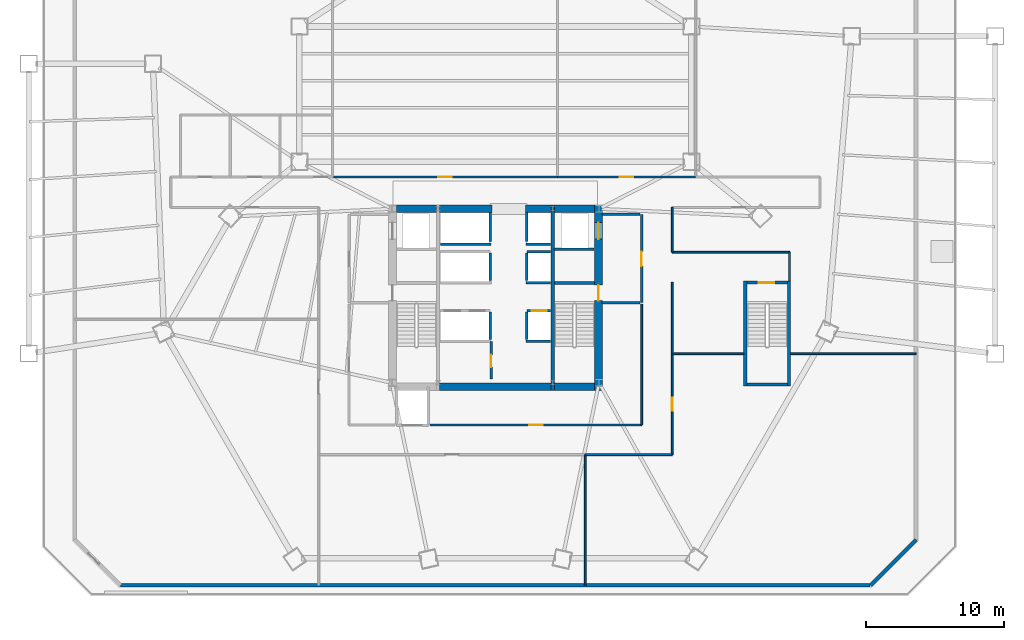
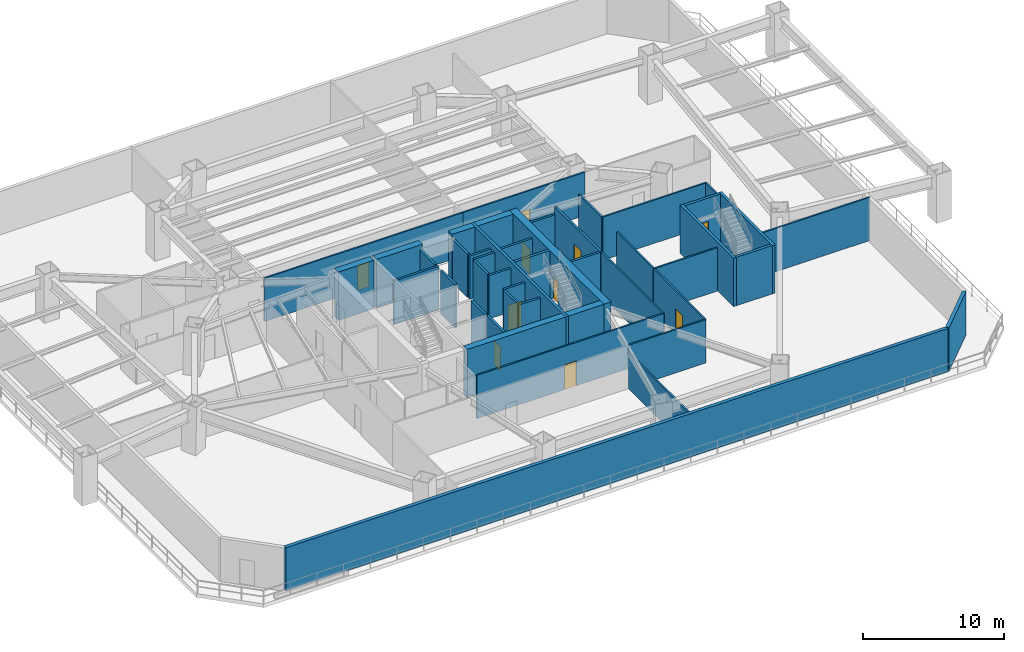
# One storey, part 6 of 12: 45 walls, 10 doors, 10 openings.
"""IFC4 building model written with IfcOpenShell, lengths in metres."""

from ifc_helpers import new_model, si_unit, direction, frame, frame_2d, origin, place, context, subcontext, project, spatial, rectangle, extrude, material, layer, layer_set, type_object, element, fill, save


model = new_model("IFC4")

# Units and contexts
model_context = context("Model", 3, precision=1e-05, world=origin(), true_north=direction((0.0, 1.0)))
body_context = subcontext(model_context, "Body", "Model", "MODEL_VIEW")
ifc_project = project(units=[si_unit("LENGTHUNIT", "METRE"), si_unit("AREAUNIT", "SQUARE_METRE"), si_unit("VOLUMEUNIT", "CUBIC_METRE"), si_unit("PLANEANGLEUNIT", "RADIAN"), si_unit("MASSUNIT", "GRAM", prefix="KILO")], contexts=[model_context])

# Site, building, storey
site_placement = place(None, origin())
site = spatial("IfcSite", under=ifc_project, at=site_placement, CompositionType="ELEMENT")
building_placement = place(site_placement, origin())
building = spatial("IfcBuilding", under=site, at=building_placement, Name="Caelisora Broadcast Tower", CompositionType="ELEMENT")
storey_placement = place(building_placement, frame((0.0, 0.0, 18.89990234375)))
storey = spatial("IfcBuildingStorey", under=building, at=storey_placement, Name="L04", CompositionType="ELEMENT", Elevation=18.89990234375)

# Wall, openings, doors
ifc_material_1 = material(Name="Concrete 65 MPa (AS 3600 S65)", Category="concrete")
ifc_layer_1 = layer(ifc_material_1, 0.60009765625, Name="Concrete 65 MPa (AS 3600 S65)")
ifc_layer_set_1 = layer_set([ifc_layer_1], Name="Concrete 65 MPa (AS 3600 S65)")
wall_type_1 = type_object("IfcWallType", Name="CW1", PredefinedType="SHEAR", material=ifc_layer_set_1)
wall_1_placement = place(storey_placement, frame((45.4599609375, 16.85009765625, 0.0), z_axis=(0.0, 0.0, 1.0), x_axis=(0.0, 1.0, 0.0)))
wall_1 = element("IfcWall", 1, at=wall_1_placement, inside=storey, type_object=wall_type_1, Name="L04 core shear wall CW1", PredefinedType="SHEAR", context=body_context, shape_type="SweptSolid", body=[
    extrude(rectangle(XDim=13.4248046875, YDim=0.60009765625, at=frame_2d((6.71240234375, 0.0))), origin(), (0.0, 0.0, 1.0), 4.2001953125),
])
opening_1_placement = place(wall_1_placement, frame((6.5, 0.0, 0.0)))
opening_1 = element("IfcOpeningElement", 2, at=opening_1_placement, cuts=wall_1, Name="Opening FD04", PredefinedType="OPENING", context=body_context, shape_type="SweptSolid", body=[
    extrude(rectangle(XDim=1.1201171875, YDim=2.14990234375, at=frame_2d((0.56005859375, 1.074951171875))), frame((0.0, 0.31201171875, 0.0), z_axis=(0.0, -1.0, 0.0), x_axis=(1.0, 0.0, 0.0)), (0.0, 0.0, 1.0), 0.6240234375),
])
opening_2_placement = place(wall_1_placement, frame((10.949951171875, 0.0, 0.0)))
opening_2 = element("IfcOpeningElement", 3, at=opening_2_placement, cuts=wall_1, Name="Opening LD04", PredefinedType="OPENING", context=body_context, shape_type="SweptSolid", body=[
    extrude(rectangle(XDim=1.199951171875, YDim=2.199951171875, at=frame_2d((0.60009765625, 1.10009765625))), frame((0.0, 0.31201171875, 0.0), z_axis=(0.0, -1.0, 0.0), x_axis=(1.0, 0.0, 0.0)), (0.0, 0.0, 1.0), 0.6240234375),
])
ifc_material_2 = material(Name="Pressurised Fire-Isolated Stair Door", Category="steel")
door_type_1 = type_object("IfcDoorType", Name="FD04", OperationType="NOTDEFINED", PredefinedType="DOOR", material=ifc_material_2)
door_1_placement = place(opening_1_placement, origin())
door_1 = element("IfcDoor", 4, at=door_1_placement, inside=storey, type_object=door_type_1, Name="L04 door FD04 (L04-DR-ST2)", OperationType="SINGLE_SWING_RIGHT", OverallHeight=2.14990234375, OverallWidth=1.1201171875, PredefinedType="DOOR", context=body_context, shape_type="SweptSolid", body=[
    extrude(rectangle(XDim=1.1201171875, YDim=2.14990234375, at=frame_2d((0.56005859375, 1.074951171875))), frame((0.0, 0.02490234375, 0.0), z_axis=(0.0, -1.0, 0.0), x_axis=(1.0, 0.0, 0.0)), (0.0, 0.0, 1.0), 0.050048828125),
])
fill(opening_1, door_1)
ifc_material_3 = material(Name="Emergency Firefighting Lift Sliding Landing Door", Category="steel")
door_type_2 = type_object("IfcDoorType", Name="LD04", OperationType="NOTDEFINED", PredefinedType="DOOR", material=ifc_material_3)
door_2_placement = place(opening_2_placement, origin())
door_2 = element("IfcDoor", 5, at=door_2_placement, inside=storey, type_object=door_type_2, Name="L04 door LD04 (L04-LD-FFL2)", OperationType="SLIDING_TO_RIGHT", OverallHeight=2.199951171875, OverallWidth=1.199951171875, PredefinedType="DOOR", context=body_context, shape_type="SweptSolid", body=[
    extrude(rectangle(XDim=1.199951171875, YDim=2.199951171875, at=frame_2d((0.60009765625, 1.10009765625))), frame((0.0, 0.02490234375, 0.0), z_axis=(0.0, -1.0, 0.0), x_axis=(1.0, 0.0, 0.0)), (0.0, 0.0, 1.0), 0.050048828125),
])
fill(opening_2, door_2)

# Walls
ifc_layer_2 = layer(ifc_material_1, 0.550048828125, Name="Concrete 65 MPa (AS 3600 S65)")
ifc_layer_set_2 = layer_set([ifc_layer_2], Name="Concrete 65 MPa (AS 3600 S65)")
wall_type_2 = type_object("IfcWallType", Name="CW4", PredefinedType="SHEAR", material=ifc_layer_set_2)
wall_2_placement = place(storey_placement, frame((33.9599609375, 17.125, 0.0), z_axis=(0.0, 0.0, 1.0), x_axis=(1.0, 0.0, 0.0)))
element("IfcWall", 6, at=wall_2_placement, inside=storey, type_object=wall_type_2, Name="L04 core shear wall CW4", PredefinedType="SHEAR", context=body_context, shape_type="SweptSolid", body=[
    extrude(rectangle(XDim=8.080078125, YDim=0.550048828125, at=frame_2d((4.0400390625, 0.0))), origin(), (0.0, 0.0, 1.0), 4.2001953125),
])
for number, where, z_axis, x_axis, name in (
    (7, (42.260009765625, 17.125, 0.0), (0.0, 0.0, 1.0), (1.0, 0.0, 0.0), "L04 core shear wall CW4"),
    (8, (30.840087890625, 30.0, 0.0), (0.0, 0.0, 1.0), (1.0, 0.0, 0.0), "L04 core shear wall CW4"),
):
    element("IfcWall", number, at=place(storey_placement, frame(where, z_axis=z_axis, x_axis=x_axis)), inside=storey, type_object=wall_type_2, Name=name, PredefinedType="SHEAR", context=body_context, shape_type="SweptSolid", body=[
        extrude(rectangle(XDim=2.89990234375, YDim=0.550048828125, at=frame_2d((1.449951171875, 0.0))), origin(), (0.0, 0.0, 1.0), 4.2001953125),
    ])
wall_3_placement = place(storey_placement, frame((33.9599609375, 30.0, 0.0), z_axis=(0.0, 0.0, 1.0), x_axis=(1.0, 0.0, 0.0)))
element("IfcWall", 9, at=wall_3_placement, inside=storey, type_object=wall_type_2, Name="L04 core shear wall CW4", PredefinedType="SHEAR", context=body_context, shape_type="SweptSolid", body=[
    extrude(rectangle(XDim=3.780029296875, YDim=0.550048828125, at=frame_2d((1.89013671875, 0.0))), origin(), (0.0, 0.0, 1.0), 4.2001953125),
])
wall_4_placement = place(storey_placement, frame((40.159912109375, 30.0, 0.0), z_axis=(0.0, 0.0, 1.0), x_axis=(1.0, 0.0, 0.0)))
element("IfcWall", 10, at=wall_4_placement, inside=storey, type_object=wall_type_2, Name="L04 core shear wall CW4", PredefinedType="SHEAR", context=body_context, shape_type="SweptSolid", body=[
    extrude(rectangle(XDim=1.880126953125, YDim=0.550048828125, at=frame_2d((0.93994140625, 0.0))), origin(), (0.0, 0.0, 1.0), 4.2001953125),
])
wall_5_placement = place(storey_placement, frame((42.260009765625, 30.0, 0.0), z_axis=(0.0, 0.0, 1.0), x_axis=(1.0, 0.0, 0.0)))
element("IfcWall", 11, at=wall_5_placement, inside=storey, type_object=wall_type_2, Name="L04 core shear wall CW4", PredefinedType="SHEAR", context=body_context, shape_type="SweptSolid", body=[
    extrude(rectangle(XDim=2.89990234375, YDim=0.550048828125, at=frame_2d((1.449951171875, 0.0))), origin(), (0.0, 0.0, 1.0), 4.2001953125),
])
ifc_material_4 = material(Name="Concrete 50 MPa (AS 3600 S50)", Category="concrete")
ifc_layer_3 = layer(ifc_material_4, 0.219970703125, Name="Concrete 50 MPa (AS 3600 S50)")
ifc_layer_set_3 = layer_set([ifc_layer_3], Name="Concrete 50 MPa (AS 3600 S50)")
wall_type_3 = type_object("IfcWallType", Name="CW7", PredefinedType="SHEAR", material=ifc_layer_set_3)
wall_6_placement = place(storey_placement, frame((42.14990234375, 16.85009765625, 0.0), z_axis=(0.0, 0.0, 1.0), x_axis=(0.0, 1.0, 0.0)))
element("IfcWall", 12, at=wall_6_placement, inside=storey, type_object=wall_type_3, Name="L04 core shear wall CW7", PredefinedType="SHEAR", context=body_context, shape_type="SweptSolid", body=[
    extrude(rectangle(XDim=13.4248046875, YDim=0.219970703125, at=frame_2d((6.71240234375, 0.0))), origin(), (0.0, 0.0, 1.0), 4.2001953125),
])
wall_7_placement = place(storey_placement, frame((42.260009765625, 24.639892578125, 0.0), z_axis=(0.0, 0.0, 1.0), x_axis=(1.0, 0.0, 0.0)))
element("IfcWall", 13, at=wall_7_placement, inside=storey, type_object=wall_type_3, Name="L04 core shear wall CW7", PredefinedType="SHEAR", context=body_context, shape_type="SweptSolid", body=[
    extrude(rectangle(XDim=2.89990234375, YDim=0.219970703125, at=frame_2d((1.449951171875, 0.0))), origin(), (0.0, 0.0, 1.0), 4.2001953125),
])
for number, where, z_axis, x_axis, name in (
    (14, (56.090087890625, 17.179931640625, 0.0), (0.0, 0.0, 1.0), (0.0, 1.0, 0.0), "L04 core shear wall CW7"),
    (15, (59.27001953125, 17.179931640625, 0.0), (0.0, 0.0, 1.0), (0.0, 1.0, 0.0), "L04 core shear wall CW7"),
):
    element("IfcWall", number, at=place(storey_placement, frame(where, z_axis=z_axis, x_axis=x_axis)), inside=storey, type_object=wall_type_3, Name=name, PredefinedType="SHEAR", context=body_context, shape_type="SweptSolid", body=[
        extrude(rectangle(XDim=7.580078125, YDim=0.219970703125, at=frame_2d((3.7900390625, 0.0))), origin(), (0.0, 0.0, 1.0), 4.2001953125),
    ])
wall_8_placement = place(storey_placement, frame((56.199951171875, 17.2900390625, 0.0), z_axis=(0.0, 0.0, 1.0), x_axis=(1.0, 0.0, 0.0)))
element("IfcWall", 16, at=wall_8_placement, inside=storey, type_object=wall_type_3, Name="L04 core shear wall CW7", PredefinedType="SHEAR", context=body_context, shape_type="SweptSolid", body=[
    extrude(rectangle(XDim=2.9599609375, YDim=0.219970703125, at=frame_2d((1.47998046875, 0.0))), origin(), (0.0, 0.0, 1.0), 4.2001953125),
])

# Wall, opening, door
wall_9_placement = place(storey_placement, frame((56.199951171875, 24.64990234375, 0.0), z_axis=(0.0, 0.0, 1.0), x_axis=(1.0, 0.0, 0.0)))
wall_9 = element("IfcWall", 17, at=wall_9_placement, inside=storey, type_object=wall_type_3, Name="L04 core shear wall CW7", PredefinedType="SHEAR", context=body_context, shape_type="SweptSolid", body=[
    extrude(rectangle(XDim=2.9599609375, YDim=0.219970703125, at=frame_2d((1.47998046875, 0.0))), origin(), (0.0, 0.0, 1.0), 4.2001953125),
])
opening_3_placement = place(wall_9_placement, frame((0.8701171875, 0.0, 0.0)))
opening_3 = element("IfcOpeningElement", 18, at=opening_3_placement, cuts=wall_9, Name="Opening FD04", PredefinedType="OPENING", context=body_context, shape_type="SweptSolid", body=[
    extrude(rectangle(XDim=1.1201171875, YDim=2.14990234375, at=frame_2d((0.56005859375, 1.074951171875))), frame((0.0, 0.1220703125, 0.0), z_axis=(0.0, -1.0, 0.0), x_axis=(1.0, 0.0, 0.0)), (0.0, 0.0, 1.0), 0.243896484375),
])
door_3_placement = place(opening_3_placement, origin())
door_3 = element("IfcDoor", 19, at=door_3_placement, inside=storey, type_object=door_type_1, Name="L04 door FD04 (L04-DR-ST3)", OperationType="SINGLE_SWING_LEFT", OverallHeight=2.14990234375, OverallWidth=1.1201171875, PredefinedType="DOOR", context=body_context, shape_type="SweptSolid", body=[
    extrude(rectangle(XDim=1.1201171875, YDim=2.14990234375, at=frame_2d((0.56005859375, 1.074951171875))), frame((0.0, 0.02490234375, 0.0), z_axis=(0.0, -1.0, 0.0), x_axis=(1.0, 0.0, 0.0)), (0.0, 0.0, 1.0), 0.050048828125),
])
fill(opening_3, door_3)

# Walls
ifc_material_5 = material(Name="Insulated Terracotta Spandrel Wall System", Category="masonry")
ifc_layer_4 = layer(ifc_material_5, 0.280029296875, Name="Insulated Terracotta Spandrel Wall System")
ifc_layer_set_4 = layer_set([ifc_layer_4], Name="Insulated Terracotta Spandrel Wall System")
wall_type_4 = type_object("IfcWallType", Name="EW1", PredefinedType="STANDARD", material=ifc_layer_set_4)
wall_10_placement = place(storey_placement, frame((68.4599609375, 6.041015625, 0.0), z_axis=(0.0, 0.0, 1.0), x_axis=(-0.707106781187, -0.707106781187, 0.0)))
element("IfcWall", 20, at=wall_10_placement, inside=storey, type_object=wall_type_4, Name="L04 exterior envelope wall EW1", PredefinedType="STANDARD", context=body_context, shape_type="SweptSolid", body=[
    extrude(rectangle(XDim=4.66845703125, YDim=0.280029296875, at=frame_2d((2.334228515625, 0.0))), origin(), (0.0, 0.0, 1.0), 3.75),
])
wall_11_placement = place(storey_placement, frame((65.138916015625, 2.739990234375, 0.0), z_axis=(0.0, 0.0, 1.0), x_axis=(-1.0, 0.0, 0.0)))
element("IfcWall", 21, at=wall_11_placement, inside=storey, type_object=wall_type_4, Name="L04 exterior envelope wall EW1", PredefinedType="STANDARD", context=body_context, shape_type="SweptSolid", body=[
    extrude(rectangle(XDim=54.27783203125, YDim=0.280029296875, at=frame_2d((27.138916015625, 0.0))), origin(), (0.0, 0.0, 1.0), 3.75),
])

# Wall, opening, door
ifc_material_6 = material(Name="Fire-Rated Gypsum Shaft and Compartment Wall", Category="gypsum")
ifc_layer_5 = layer(ifc_material_6, 0.179931640625, Name="Fire-Rated Gypsum Shaft and Compartment Wall")
ifc_layer_set_5 = layer_set([ifc_layer_5], Name="Fire-Rated Gypsum Shaft and Compartment Wall")
wall_type_5 = type_object("IfcWallType", Name="PW2", PredefinedType="PARTITIONING", material=ifc_layer_set_5)
wall_12_placement = place(storey_placement, frame((40.280029296875, 22.6201171875, 0.0), z_axis=(0.0, 0.0, 1.0), x_axis=(1.0, 0.0, 0.0)))
wall_12 = element("IfcWall", 22, at=wall_12_placement, inside=storey, type_object=wall_type_5, Name="L04 fire compartment wall PW2", PredefinedType="PARTITIONING", context=body_context, shape_type="SweptSolid", body=[
    extrude(rectangle(XDim=1.699951171875, YDim=0.179931640625, at=frame_2d((0.85009765625, 0.0))), origin(), (0.0, 0.0, 1.0), 3.75),
])
opening_4_placement = place(wall_12_placement, frame((0.35009765625, 0.0, 0.0)))
opening_4 = element("IfcOpeningElement", 23, at=opening_4_placement, cuts=wall_12, Name="Opening LD01", PredefinedType="OPENING", context=body_context, shape_type="SweptSolid", body=[
    extrude(rectangle(XDim=1.10009765625, YDim=2.199951171875, at=frame_2d((0.550048828125, 1.10009765625))), frame((0.0, 0.10205078125, 0.0), z_axis=(0.0, -1.0, 0.0), x_axis=(1.0, 0.0, 0.0)), (0.0, 0.0, 1.0), 0.203857421875),
])
ifc_material_7 = material(Name="Stainless Steel Centre-Parting Lift Landing Door", Category="steel")
door_type_3 = type_object("IfcDoorType", Name="LD01", OperationType="NOTDEFINED", PredefinedType="DOOR", material=ifc_material_7)
door_4_placement = place(opening_4_placement, origin())
door_4 = element("IfcDoor", 24, at=door_4_placement, inside=storey, type_object=door_type_3, Name="L04 door LD01 (L04-LD-PLL3)", OperationType="SLIDING_TO_LEFT", OverallHeight=2.199951171875, OverallWidth=1.10009765625, PredefinedType="DOOR", context=body_context, shape_type="SweptSolid", body=[
    extrude(rectangle(XDim=1.10009765625, YDim=2.199951171875, at=frame_2d((0.550048828125, 1.10009765625))), frame((0.0, 0.02490234375, 0.0), z_axis=(0.0, -1.0, 0.0), x_axis=(1.0, 0.0, 0.0)), (0.0, 0.0, 1.0), 0.050048828125),
])
fill(opening_4, door_4)

# Walls
for number, where, z_axis, x_axis, name in (
    (25, (37.6201171875, 20.52001953125, 0.0), (0.0, 0.0, 1.0), (0.0, 1.0, 0.0), "L04 fire compartment wall PW2"),
    (26, (40.280029296875, 20.52001953125, 0.0), (0.0, 0.0, 1.0), (0.0, 1.0, 0.0), "L04 fire compartment wall PW2"),
):
    element("IfcWall", number, at=place(storey_placement, frame(where, z_axis=z_axis, x_axis=x_axis)), inside=storey, type_object=wall_type_5, Name=name, PredefinedType="PARTITIONING", context=body_context, shape_type="SweptSolid", body=[
        extrude(rectangle(XDim=2.0, YDim=0.179931640625, at=frame_2d((1.0, 0.0))), origin(), (0.0, 0.0, 1.0), 3.75),
    ])
wall_13_placement = place(storey_placement, frame((40.280029296875, 26.89990234375, 0.0), z_axis=(0.0, 0.0, 1.0), x_axis=(1.0, 0.0, 0.0)))
element("IfcWall", 27, at=wall_13_placement, inside=storey, type_object=wall_type_5, Name="L04 fire compartment wall PW2", PredefinedType="PARTITIONING", context=body_context, shape_type="SweptSolid", body=[
    extrude(rectangle(XDim=1.699951171875, YDim=0.179931640625, at=frame_2d((0.85009765625, 0.0))), origin(), (0.0, 0.0, 1.0), 3.75),
])
for number, where, z_axis, x_axis, name in (
    (28, (37.6201171875, 24.800048828125, 0.0), (0.0, 0.0, 1.0), (0.0, 1.0, 0.0), "L04 fire compartment wall PW2"),
    (29, (40.280029296875, 24.800048828125, 0.0), (0.0, 0.0, 1.0), (0.0, 1.0, 0.0), "L04 fire compartment wall PW2"),
):
    element("IfcWall", number, at=place(storey_placement, frame(where, z_axis=z_axis, x_axis=x_axis)), inside=storey, type_object=wall_type_5, Name=name, PredefinedType="PARTITIONING", context=body_context, shape_type="SweptSolid", body=[
        extrude(rectangle(XDim=2.0, YDim=0.179931640625, at=frame_2d((1.0, 0.0))), origin(), (0.0, 0.0, 1.0), 3.75),
    ])
wall_14_placement = place(storey_placement, frame((40.199951171875, 24.639892578125, 0.0), z_axis=(0.0, 0.0, 1.0), x_axis=(1.0, 0.0, 0.0)))
element("IfcWall", 30, at=wall_14_placement, inside=storey, type_object=wall_type_5, Name="L04 fire compartment wall PW2", PredefinedType="PARTITIONING", context=body_context, shape_type="SweptSolid", body=[
    extrude(rectangle(XDim=1.780029296875, YDim=0.179931640625, at=frame_2d((0.89013671875, 0.0))), origin(), (0.0, 0.0, 1.0), 3.75),
])
wall_15_placement = place(storey_placement, frame((34.02001953125, 27.419921875, 0.0), z_axis=(0.0, 0.0, 1.0), x_axis=(1.0, 0.0, 0.0)))
element("IfcWall", 31, at=wall_15_placement, inside=storey, type_object=wall_type_5, Name="L04 fire compartment wall PW2", PredefinedType="PARTITIONING", context=body_context, shape_type="SweptSolid", body=[
    extrude(rectangle(XDim=3.659912109375, YDim=0.179931640625, at=frame_2d((1.830078125, 0.0))), origin(), (0.0, 0.0, 1.0), 3.75),
])
wall_16_placement = place(storey_placement, frame((40.219970703125, 27.419921875, 0.0), z_axis=(0.0, 0.0, 1.0), x_axis=(1.0, 0.0, 0.0)))
element("IfcWall", 32, at=wall_16_placement, inside=storey, type_object=wall_type_5, Name="L04 fire compartment wall PW2", PredefinedType="PARTITIONING", context=body_context, shape_type="SweptSolid", body=[
    extrude(rectangle(XDim=1.760009765625, YDim=0.179931640625, at=frame_2d((0.8798828125, 0.0))), origin(), (0.0, 0.0, 1.0), 3.75),
])
for number, where, z_axis, x_axis, name in (
    (33, (37.6201171875, 27.639892578125, 0.0), (0.0, 0.0, 1.0), (0.0, 1.0, 0.0), "L04 fire compartment wall PW2"),
    (34, (40.280029296875, 27.639892578125, 0.0), (0.0, 0.0, 1.0), (0.0, 1.0, 0.0), "L04 fire compartment wall PW2"),
):
    element("IfcWall", number, at=place(storey_placement, frame(where, z_axis=z_axis, x_axis=x_axis)), inside=storey, type_object=wall_type_5, Name=name, PredefinedType="PARTITIONING", context=body_context, shape_type="SweptSolid", body=[
        extrude(rectangle(XDim=2.110107421875, YDim=0.179931640625, at=frame_2d((1.05517578125, 0.0))), origin(), (0.0, 0.0, 1.0), 3.75),
    ])

# Wall, opening, door
wall_17_placement = place(storey_placement, frame((48.580078125, 23.199951171875, 0.0), z_axis=(0.0, 0.0, 1.0), x_axis=(0.0, 1.0, 0.0)))
wall_17 = element("IfcWall", 35, at=wall_17_placement, inside=storey, type_object=wall_type_5, Name="L04 fire compartment wall PW2", PredefinedType="PARTITIONING", context=body_context, shape_type="SweptSolid", body=[
    extrude(rectangle(XDim=6.400146484375, YDim=0.179931640625, at=frame_2d((3.2001953125, 0.0))), origin(), (0.0, 0.0, 1.0), 3.75),
])
opening_5_placement = place(wall_17_placement, frame((2.64990234375, 0.0, 0.0)))
opening_5 = element("IfcOpeningElement", 36, at=opening_5_placement, cuts=wall_17, Name="Opening FD02", PredefinedType="OPENING", context=body_context, shape_type="SweptSolid", body=[
    extrude(rectangle(XDim=1.050048828125, YDim=2.14990234375, at=frame_2d((0.52490234375, 1.074951171875))), frame((0.0, 0.10205078125, 0.0), z_axis=(0.0, -1.0, 0.0), x_axis=(1.0, 0.0, 0.0)), (0.0, 0.0, 1.0), 0.203857421875),
])
ifc_material_8 = material(Name="Single-Leaf Steel Fire Lobby Door", Category="steel")
door_type_4 = type_object("IfcDoorType", Name="FD02", OperationType="NOTDEFINED", PredefinedType="DOOR", material=ifc_material_8)
door_5_placement = place(opening_5_placement, origin())
door_5 = element("IfcDoor", 37, at=door_5_placement, inside=storey, type_object=door_type_4, Name="L04 door FD02 (L04-DR-P04D1)", OperationType="SINGLE_SWING_RIGHT", OverallHeight=2.14990234375, OverallWidth=1.050048828125, PredefinedType="DOOR", context=body_context, shape_type="SweptSolid", body=[
    extrude(rectangle(XDim=1.050048828125, YDim=2.14990234375, at=frame_2d((0.52490234375, 1.074951171875))), frame((0.0, 0.02490234375, 0.0), z_axis=(0.0, -1.0, 0.0), x_axis=(1.0, 0.0, 0.0)), (0.0, 0.0, 1.0), 0.050048828125),
])
fill(opening_5, door_5)

# Walls
wall_18_placement = place(storey_placement, frame((45.719970703125, 23.199951171875, 0.0), z_axis=(0.0, 0.0, 1.0), x_axis=(1.0, 0.0, 0.0)))
element("IfcWall", 38, at=wall_18_placement, inside=storey, type_object=wall_type_5, Name="L04 fire compartment wall PW2", PredefinedType="PARTITIONING", context=body_context, shape_type="SweptSolid", body=[
    extrude(rectangle(XDim=2.760009765625, YDim=0.179931640625, at=frame_2d((1.3798828125, 0.0))), origin(), (0.0, 0.0, 1.0), 3.75),
])
wall_19_placement = place(storey_placement, frame((45.719970703125, 29.60009765625, 0.0), z_axis=(0.0, 0.0, 1.0), x_axis=(1.0, 0.0, 0.0)))
element("IfcWall", 39, at=wall_19_placement, inside=storey, type_object=wall_type_5, Name="L04 fire compartment wall PW2", PredefinedType="PARTITIONING", context=body_context, shape_type="SweptSolid", body=[
    extrude(rectangle(XDim=2.760009765625, YDim=0.179931640625, at=frame_2d((1.3798828125, 0.0))), origin(), (0.0, 0.0, 1.0), 3.12353515625),
])
wall_20_placement = place(storey_placement, frame((42.239990234375, 27.070068359375, 0.0), z_axis=(0.0, 0.0, 1.0), x_axis=(1.0, 0.0, 0.0)))
element("IfcWall", 40, at=wall_20_placement, inside=storey, type_object=wall_type_5, Name="L04 fire compartment wall PW2", PredefinedType="PARTITIONING", context=body_context, shape_type="SweptSolid", body=[
    extrude(rectangle(XDim=2.89990234375, YDim=0.179931640625, at=frame_2d((1.449951171875, 0.0))), origin(), (0.0, 0.0, 1.0), 3.75),
])
wall_21_placement = place(storey_placement, frame((40.219970703125, 20.419921875, 0.0), z_axis=(0.0, 0.0, 1.0), x_axis=(1.0, 0.0, 0.0)))
element("IfcWall", 41, at=wall_21_placement, inside=storey, type_object=wall_type_5, Name="L04 fire compartment wall PW2", PredefinedType="PARTITIONING", context=body_context, shape_type="SweptSolid", body=[
    extrude(rectangle(XDim=1.760009765625, YDim=0.179931640625, at=frame_2d((0.8798828125, 0.0))), origin(), (0.0, 0.0, 1.0), 3.75),
])

# Wall, opening, door
wall_22_placement = place(storey_placement, frame((37.679931640625, 17.679931640625, 0.0), z_axis=(0.0, 0.0, 1.0), x_axis=(0.0, 1.0, 0.0)))
wall_22 = element("IfcWall", 42, at=wall_22_placement, inside=storey, type_object=wall_type_5, Name="L04 fire compartment wall PW2", PredefinedType="PARTITIONING", context=body_context, shape_type="SweptSolid", body=[
    extrude(rectangle(XDim=2.699951171875, YDim=0.179931640625, at=frame_2d((1.35009765625, 0.0))), origin(), (0.0, 0.0, 1.0), 3.75),
])
opening_6_placement = place(wall_22_placement, frame((0.85009765625, 0.0, 0.0)))
opening_6 = element("IfcOpeningElement", 43, at=opening_6_placement, cuts=wall_22, Name="Opening FD03", PredefinedType="OPENING", context=body_context, shape_type="SweptSolid", body=[
    extrude(rectangle(XDim=0.89990234375, YDim=2.10009765625, at=frame_2d((0.449951171875, 1.050048828125))), frame((0.0, 0.10205078125, 0.0), z_axis=(0.0, -1.0, 0.0), x_axis=(1.0, 0.0, 0.0)), (0.0, 0.0, 1.0), 0.203857421875),
])
ifc_material_9 = material(Name="Single-Leaf Steel Riser Fire Access Door", Category="steel")
door_type_5 = type_object("IfcDoorType", Name="FD03", OperationType="NOTDEFINED", PredefinedType="DOOR", material=ifc_material_9)
door_6_placement = place(opening_6_placement, origin())
door_6 = element("IfcDoor", 44, at=door_6_placement, inside=storey, type_object=door_type_5, Name="L04 door FD03 (L04-DR-P11D1)", OperationType="SINGLE_SWING_LEFT", OverallHeight=2.10009765625, OverallWidth=0.89990234375, PredefinedType="DOOR", context=body_context, shape_type="SweptSolid", body=[
    extrude(rectangle(XDim=0.89990234375, YDim=2.10009765625, at=frame_2d((0.449951171875, 1.050048828125))), frame((0.0, 0.02490234375, 0.0), z_axis=(0.0, -1.0, 0.0), x_axis=(1.0, 0.0, 0.0)), (0.0, 0.0, 1.0), 0.050048828125),
])
fill(opening_6, door_6)

ifc_material_10 = material(Name="Acoustic Steel-Stud Plasterboard Partition", Category="gypsum")
ifc_layer_6 = layer(ifc_material_10, 0.1298828125, Name="Acoustic Steel-Stud Plasterboard Partition")
ifc_layer_set_6 = layer_set([ifc_layer_6], Name="Acoustic Steel-Stud Plasterboard Partition")
wall_type_6 = type_object("IfcWallType", Name="PW3", PredefinedType="PARTITIONING", material=ifc_layer_set_6)
wall_23_placement = place(storey_placement, frame((26.205078125, 32.300048828125, 0.0), z_axis=(0.0, 0.0, 1.0), x_axis=(1.0, 0.0, 0.0)))
wall_23 = element("IfcWall", 45, at=wall_23_placement, inside=storey, type_object=wall_type_6, Name="L04 internal partition PW3", PredefinedType="PARTITIONING", context=body_context, shape_type="SweptSolid", body=[
    extrude(rectangle(XDim=16.2900390625, YDim=0.1298828125, at=frame_2d((8.14501953125, 0.0))), origin(), (0.0, 0.0, 1.0), 3.75),
])
opening_7_placement = place(wall_23_placement, frame((7.6650390625, 0.0, 0.0)))
opening_7 = element("IfcOpeningElement", 46, at=opening_7_placement, cuts=wall_23, Name="Opening D01", PredefinedType="OPENING", context=body_context, shape_type="SweptSolid", body=[
    extrude(rectangle(XDim=0.9599609375, YDim=2.14990234375, at=frame_2d((0.47998046875, 1.074951171875))), frame((0.0, 0.076904296875, 0.0), z_axis=(0.0, -1.0, 0.0), x_axis=(1.0, 0.0, 0.0)), (0.0, 0.0, 1.0), 0.15380859375),
])
ifc_material_11 = material(Name="Solid-Core Timber Acoustic Office Door", Category="wood")
door_type_6 = type_object("IfcDoorType", Name="D01", OperationType="NOTDEFINED", PredefinedType="DOOR", material=ifc_material_11)
door_7_placement = place(opening_7_placement, origin())
door_7 = element("IfcDoor", 47, at=door_7_placement, inside=storey, type_object=door_type_6, Name="L04 door D01 (L04-DR-P26D1)", OperationType="SINGLE_SWING_RIGHT", OverallHeight=2.14990234375, OverallWidth=0.9599609375, PredefinedType="DOOR", context=body_context, shape_type="SweptSolid", body=[
    extrude(rectangle(XDim=0.9599609375, YDim=2.14990234375, at=frame_2d((0.47998046875, 1.074951171875))), frame((0.0, 0.02490234375, 0.0), z_axis=(0.0, -1.0, 0.0), x_axis=(1.0, 0.0, 0.0)), (0.0, 0.0, 1.0), 0.050048828125),
])
fill(opening_7, door_7)

wall_24_placement = place(storey_placement, frame((33.27490234375, 14.35009765625, 0.0), z_axis=(0.0, 0.0, 1.0), x_axis=(1.0, 0.0, 0.0)))
wall_24 = element("IfcWall", 48, at=wall_24_placement, inside=storey, type_object=wall_type_6, Name="L04 internal partition PW3", PredefinedType="PARTITIONING", context=body_context, shape_type="SweptSolid", body=[
    extrude(rectangle(XDim=15.320068359375, YDim=0.1298828125, at=frame_2d((7.66015625, 0.0))), origin(), (0.0, 0.0, 1.0), 3.75),
])
opening_8_placement = place(wall_24_placement, frame((7.179931640625, 0.0, 0.0)))
opening_8 = element("IfcOpeningElement", 49, at=opening_8_placement, cuts=wall_24, Name="Opening D01", PredefinedType="OPENING", context=body_context, shape_type="SweptSolid", body=[
    extrude(rectangle(XDim=0.9599609375, YDim=2.14990234375, at=frame_2d((0.47998046875, 1.074951171875))), frame((0.0, 0.076904296875, 0.0), z_axis=(0.0, -1.0, 0.0), x_axis=(1.0, 0.0, 0.0)), (0.0, 0.0, 1.0), 0.15380859375),
])
door_8_placement = place(opening_8_placement, origin())
door_8 = element("IfcDoor", 50, at=door_8_placement, inside=storey, type_object=door_type_6, Name="L04 door D01 (L04-DR-P27D1)", OperationType="SINGLE_SWING_LEFT", OverallHeight=2.14990234375, OverallWidth=0.9599609375, PredefinedType="DOOR", context=body_context, shape_type="SweptSolid", body=[
    extrude(rectangle(XDim=0.9599609375, YDim=2.14990234375, at=frame_2d((0.47998046875, 1.074951171875))), frame((0.0, 0.02490234375, 0.0), z_axis=(0.0, -1.0, 0.0), x_axis=(1.0, 0.0, 0.0)), (0.0, 0.0, 1.0), 0.050048828125),
])
fill(opening_8, door_8)

wall_25_placement = place(storey_placement, frame((42.5048828125, 32.300048828125, 0.0), z_axis=(0.0, 0.0, 1.0), x_axis=(1.0, 0.0, 0.0)))
wall_25 = element("IfcWall", 51, at=wall_25_placement, inside=storey, type_object=wall_type_6, Name="L04 internal partition PW3", PredefinedType="PARTITIONING", context=body_context, shape_type="SweptSolid", body=[
    extrude(rectangle(XDim=9.990234375, YDim=0.1298828125, at=frame_2d((4.9951171875, 0.0))), origin(), (0.0, 0.0, 1.0), 3.75),
])
opening_9_placement = place(wall_25_placement, frame((4.514892578125, 0.0, 0.0)))
opening_9 = element("IfcOpeningElement", 52, at=opening_9_placement, cuts=wall_25, Name="Opening D01", PredefinedType="OPENING", context=body_context, shape_type="SweptSolid", body=[
    extrude(rectangle(XDim=0.9599609375, YDim=2.14990234375, at=frame_2d((0.47998046875, 1.074951171875))), frame((0.0, 0.076904296875, 0.0), z_axis=(0.0, -1.0, 0.0), x_axis=(1.0, 0.0, 0.0)), (0.0, 0.0, 1.0), 0.15380859375),
])
door_9_placement = place(opening_9_placement, origin())
door_9 = element("IfcDoor", 53, at=door_9_placement, inside=storey, type_object=door_type_6, Name="L04 door D01 (L04-DR-P32D1)", OperationType="SINGLE_SWING_RIGHT", OverallHeight=2.14990234375, OverallWidth=0.9599609375, PredefinedType="DOOR", context=body_context, shape_type="SweptSolid", body=[
    extrude(rectangle(XDim=0.9599609375, YDim=2.14990234375, at=frame_2d((0.47998046875, 1.074951171875))), frame((0.0, 0.02490234375, 0.0), z_axis=(0.0, -1.0, 0.0), x_axis=(1.0, 0.0, 0.0)), (0.0, 0.0, 1.0), 0.050048828125),
])
fill(opening_9, door_9)

# Walls
wall_26_placement = place(storey_placement, frame((44.5, 2.72998046875, 0.0), z_axis=(0.0, 0.0, 1.0), x_axis=(0.0, 1.0, 0.0)))
element("IfcWall", 54, at=wall_26_placement, inside=storey, type_object=wall_type_6, Name="L04 internal partition PW3", PredefinedType="PARTITIONING", context=body_context, shape_type="SweptSolid", body=[
    extrude(rectangle(XDim=9.465087890625, YDim=0.1298828125, at=frame_2d((4.732421875, 0.0))), origin(), (0.0, 0.0, 1.0), 3.12353515625),
])
wall_27_placement = place(storey_placement, frame((59.375, 19.5, 0.0), z_axis=(0.0, 0.0, 1.0), x_axis=(1.0, 0.0, 0.0)))
element("IfcWall", 55, at=wall_27_placement, inside=storey, type_object=wall_type_6, Name="L04 internal partition PW3", PredefinedType="PARTITIONING", context=body_context, shape_type="SweptSolid", body=[
    extrude(rectangle(XDim=9.094970703125, YDim=0.1298828125, at=frame_2d((4.54736328125, 0.0))), origin(), (0.0, 0.0, 1.0), 3.75),
])
wall_28_placement = place(storey_placement, frame((48.60009765625, 14.35498046875, 0.0), z_axis=(0.0, 0.0, 1.0), x_axis=(0.0, 1.0, 0.0)))
element("IfcWall", 56, at=wall_28_placement, inside=storey, type_object=wall_type_6, Name="L04 internal partition PW3", PredefinedType="PARTITIONING", context=body_context, shape_type="SweptSolid", body=[
    extrude(rectangle(XDim=8.75, YDim=0.1298828125, at=frame_2d((4.375, 0.0))), origin(), (0.0, 0.0, 1.0), 3.75),
])
wall_29_placement = place(storey_placement, frame((50.804931640625, 26.85009765625, 0.0), z_axis=(0.0, 0.0, 1.0), x_axis=(1.0, 0.0, 0.0)))
element("IfcWall", 57, at=wall_29_placement, inside=storey, type_object=wall_type_6, Name="L04 internal partition PW3", PredefinedType="PARTITIONING", context=body_context, shape_type="SweptSolid", body=[
    extrude(rectangle(XDim=8.489990234375, YDim=0.1298828125, at=frame_2d((4.2451171875, 0.0))), origin(), (0.0, 0.0, 1.0), 3.75),
])

# Wall, opening, door
wall_30_placement = place(storey_placement, frame((50.800048828125, 12.205078125, 0.0), z_axis=(0.0, 0.0, 1.0), x_axis=(0.0, 1.0, 0.0)))
wall_30 = element("IfcWall", 58, at=wall_30_placement, inside=storey, type_object=wall_type_6, Name="L04 internal partition PW3", PredefinedType="PARTITIONING", context=body_context, shape_type="SweptSolid", body=[
    extrude(rectangle(XDim=7.2900390625, YDim=0.1298828125, at=frame_2d((3.64501953125, 0.0))), origin(), (0.0, 0.0, 1.0), 3.75),
])
opening_10_placement = place(wall_30_placement, frame((3.1650390625, 0.0, 0.0)))
opening_10 = element("IfcOpeningElement", 59, at=opening_10_placement, cuts=wall_30, Name="Opening D01", PredefinedType="OPENING", context=body_context, shape_type="SweptSolid", body=[
    extrude(rectangle(XDim=0.9599609375, YDim=2.14990234375, at=frame_2d((0.47998046875, 1.074951171875))), frame((0.0, 0.076904296875, 0.0), z_axis=(0.0, -1.0, 0.0), x_axis=(1.0, 0.0, 0.0)), (0.0, 0.0, 1.0), 0.15380859375),
])
door_10_placement = place(opening_10_placement, origin())
door_10 = element("IfcDoor", 60, at=door_10_placement, inside=storey, type_object=door_type_6, Name="L04 door D01 (L04-DR-P44D1)", OperationType="SINGLE_SWING_LEFT", OverallHeight=2.14990234375, OverallWidth=0.9599609375, PredefinedType="DOOR", context=body_context, shape_type="SweptSolid", body=[
    extrude(rectangle(XDim=0.9599609375, YDim=2.14990234375, at=frame_2d((0.47998046875, 1.074951171875))), frame((0.0, 0.02490234375, 0.0), z_axis=(0.0, -1.0, 0.0), x_axis=(1.0, 0.0, 0.0)), (0.0, 0.0, 1.0), 0.050048828125),
])
fill(opening_10, door_10)

# Walls
wall_31_placement = place(storey_placement, frame((44.5048828125, 12.199951171875, 0.0), z_axis=(0.0, 0.0, 1.0), x_axis=(1.0, 0.0, 0.0)))
element("IfcWall", 61, at=wall_31_placement, inside=storey, type_object=wall_type_6, Name="L04 internal partition PW3", PredefinedType="PARTITIONING", context=body_context, shape_type="SweptSolid", body=[
    extrude(rectangle(XDim=6.2900390625, YDim=0.1298828125, at=frame_2d((3.14501953125, 0.0))), origin(), (0.0, 0.0, 1.0), 3.75),
])
wall_32_placement = place(storey_placement, frame((50.804931640625, 19.5, 0.0), z_axis=(0.0, 0.0, 1.0), x_axis=(1.0, 0.0, 0.0)))
element("IfcWall", 62, at=wall_32_placement, inside=storey, type_object=wall_type_6, Name="L04 internal partition PW3", PredefinedType="PARTITIONING", context=body_context, shape_type="SweptSolid", body=[
    extrude(rectangle(XDim=5.170166015625, YDim=0.1298828125, at=frame_2d((2.5849609375, 0.0))), origin(), (0.0, 0.0, 1.0), 3.75),
])
wall_33_placement = place(storey_placement, frame((50.800048828125, 24.695068359375, 0.0), z_axis=(0.0, 0.0, 1.0), x_axis=(0.0, -1.0, 0.0)))
element("IfcWall", 63, at=wall_33_placement, inside=storey, type_object=wall_type_6, Name="L04 internal partition PW3", PredefinedType="PARTITIONING", context=body_context, shape_type="SweptSolid", body=[
    extrude(rectangle(XDim=5.190185546875, YDim=0.1298828125, at=frame_2d((2.59521484375, 0.0))), origin(), (0.0, 0.0, 1.0), 3.75),
])
wall_34_placement = place(storey_placement, frame((50.800048828125, 30.094970703125, 0.0), z_axis=(0.0, 0.0, 1.0), x_axis=(0.0, -1.0, 0.0)))
element("IfcWall", 64, at=wall_34_placement, inside=storey, type_object=wall_type_6, Name="L04 internal partition PW3", PredefinedType="PARTITIONING", context=body_context, shape_type="SweptSolid", body=[
    extrude(rectangle(XDim=3.239990234375, YDim=0.1298828125, at=frame_2d((1.6201171875, 0.0))), origin(), (0.0, 0.0, 1.0), 3.75),
])
wall_35_placement = place(storey_placement, frame((59.300048828125, 26.844970703125, 0.0), z_axis=(0.0, 0.0, 1.0), x_axis=(0.0, -1.0, 0.0)))
element("IfcWall", 65, at=wall_35_placement, inside=storey, type_object=wall_type_6, Name="L04 internal partition PW3", PredefinedType="PARTITIONING", context=body_context, shape_type="SweptSolid", body=[
    extrude(rectangle(XDim=2.070068359375, YDim=0.1298828125, at=frame_2d((1.03515625, 0.0))), origin(), (0.0, 0.0, 1.0), 3.75),
])

save(model, "model.ifc")
